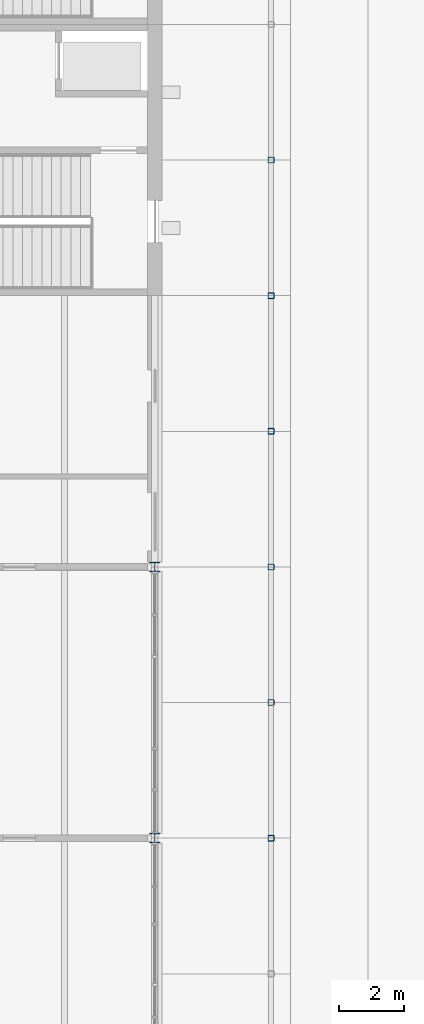
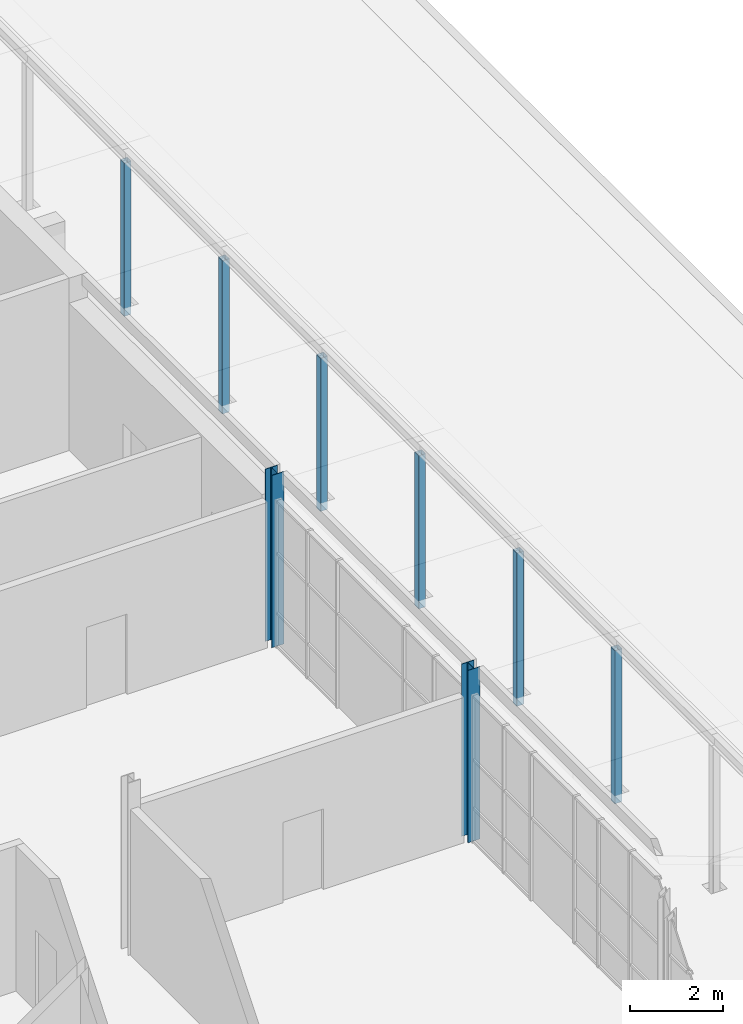
# One storey, part 18 of 116: 8 columns.
"""IFC4 building model written with IfcOpenShell, lengths in metres."""

from ifc_helpers import new_model, si_unit, direction, frame, origin, origin_2d, place, context, subcontext, project, spatial, hollow_rectangle, i_section, extrude, material, material_profile, profile_set, type_object, element, save


model = new_model("IFC4")

# Units and contexts
model_context = context("Model", 3, precision=1e-05, world=origin(), true_north=direction((0.0, 1.0)))
body_context = subcontext(model_context, "Body", "Model", "MODEL_VIEW")
ifc_project = project(units=[si_unit("LENGTHUNIT", "METRE"), si_unit("AREAUNIT", "SQUARE_METRE"), si_unit("VOLUMEUNIT", "CUBIC_METRE"), si_unit("PLANEANGLEUNIT", "RADIAN"), si_unit("MASSUNIT", "GRAM", prefix="KILO")], contexts=[model_context])

# Site, building, storey
site_placement = place(None, origin())
site = spatial("IfcSite", under=ifc_project, at=site_placement, CompositionType="ELEMENT")
building_placement = place(site_placement, origin())
building = spatial("IfcBuilding", under=site, at=building_placement, Name="Ardhachandra Cancer Care Centre", CompositionType="ELEMENT")
storey_placement = place(building_placement, origin())
storey = spatial("IfcBuildingStorey", under=building, at=storey_placement, Name="L00", CompositionType="ELEMENT", Elevation=0.0)

# Columns
ifc_material_1 = material(Name="Steel E350 (IS 2062)", Category="steel")
ifc_material_profile_1 = material_profile(ifc_material_1, hollow_rectangle(XDim=0.179931640625, YDim=0.179931640625, WallThickness=0.008056640625, InnerFilletRadius=0.008056640625, OuterFilletRadius=0.01611328125, at=origin_2d()), Name="SHS 180x180x8.0")
ifc_profile_set_1 = profile_set([ifc_material_profile_1], Name="Steel E350 (IS 2062)")
column_type_1 = type_object("IfcColumnType", Name="Arcade column SHS 180x180x8.0", PredefinedType="COLUMN", material=ifc_profile_set_1)
for number, where, z_axis, x_axis, name in (
    (1, (148.800048828125, 54.60009765625, -0.300048828125), (0.0, 0.0, 1.0), (1.0, 0.0, 0.0), "Arcade column 7"),
    (2, (148.800048828125, 58.800048828125, -0.300048828125), (0.0, 0.0, 1.0), (1.0, 0.0, 0.0), "Arcade column 8"),
    (3, (148.800048828125, 63.0, -0.300048828125), (0.0, 0.0, 1.0), (1.0, 0.0, 0.0), "Arcade column 9"),
    (4, (148.800048828125, 67.199951171875, -0.300048828125), (0.0, 0.0, 1.0), (1.0, 0.0, 0.0), "Arcade column 10"),
    (5, (148.800048828125, 71.39990234375, -0.300048828125), (0.0, 0.0, 1.0), (1.0, 0.0, 0.0), "Arcade column 11"),
    (6, (148.800048828125, 75.60009765625, -0.300048828125), (0.0, 0.0, 1.0), (1.0, 0.0, 0.0), "Arcade column 12"),
):
    element("IfcColumn", number, at=place(storey_placement, frame(where, z_axis=z_axis, x_axis=x_axis)), inside=storey, type_object=column_type_1, Name=name, PredefinedType="COLUMN", context=body_context, shape_type="SweptSolid", body=[
        extrude(hollow_rectangle(XDim=0.179931640625, YDim=0.179931640625, WallThickness=0.008056640625, InnerFilletRadius=0.008056640625, OuterFilletRadius=0.01611328125, at=origin_2d()), origin(), (0.0, 0.0, 1.0), 3.996826171875),
    ])
ifc_material_2 = material(Name="Steel E350 (IS 2062)", Category="steel")
ifc_material_profile_2 = material_profile(ifc_material_2, i_section(OverallWidth=0.300048828125, OverallDepth=0.2900390625, WebThickness=0.008544921875, FlangeThickness=0.013916015625, FilletRadius=0.027099609375, at=origin_2d()), Name="WPB 300x300x88.33")
ifc_profile_set_2 = profile_set([ifc_material_profile_2], Name="Steel E350 (IS 2062)")
column_type_2 = type_object("IfcColumnType", Name="Column WPB 300x300x88.33", PredefinedType="COLUMN", material=ifc_profile_set_2)
for number, where, z_axis, x_axis, name in (
    (7, (145.199951171875, 54.60009765625, 0.0), (0.0, 0.0, 1.0), (1.0, 0.0, 0.0), "Column F17 L00"),
    (8, (145.199951171875, 63.0, 0.0), (0.0, 0.0, 1.0), (1.0, 0.0, 0.0), "Column G17 L00"),
):
    element("IfcColumn", number, at=place(storey_placement, frame(where, z_axis=z_axis, x_axis=x_axis)), inside=storey, type_object=column_type_2, Name=name, PredefinedType="COLUMN", context=body_context, shape_type="SweptSolid", body=[
        extrude(i_section(OverallWidth=0.300048828125, OverallDepth=0.2900390625, WebThickness=0.008544921875, FlangeThickness=0.013916015625, FilletRadius=0.027099609375, at=origin_2d()), origin(), (0.0, 0.0, 1.0), 4.5),
    ])

save(model, "model.ifc")
